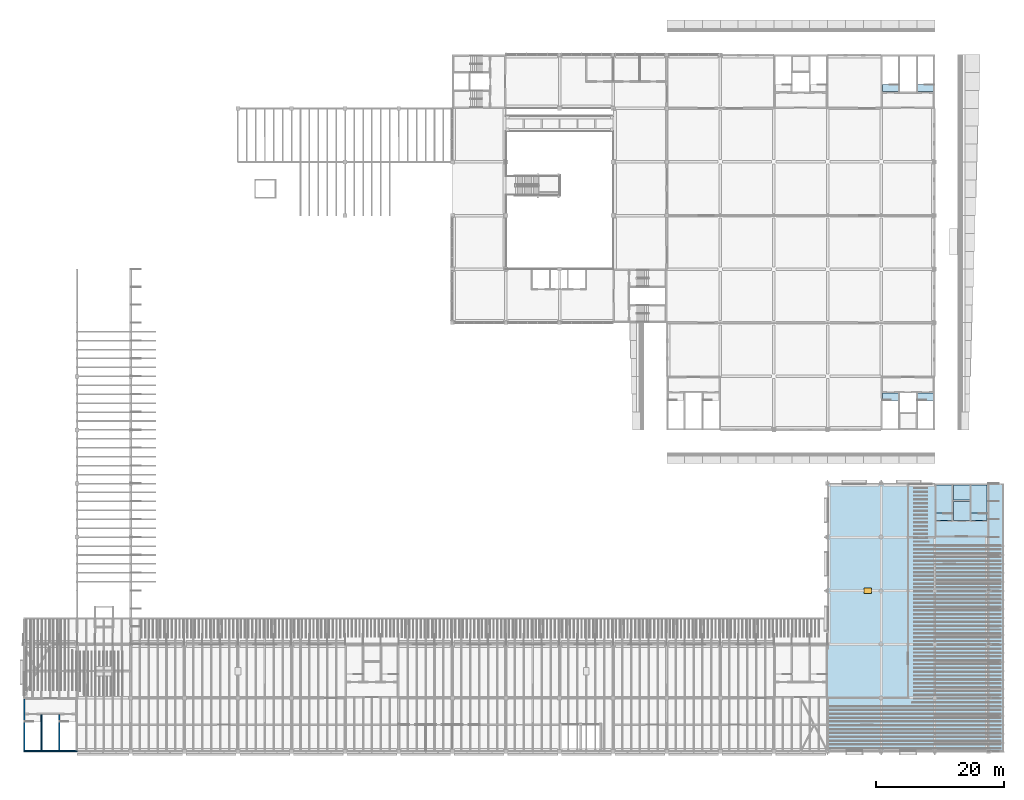
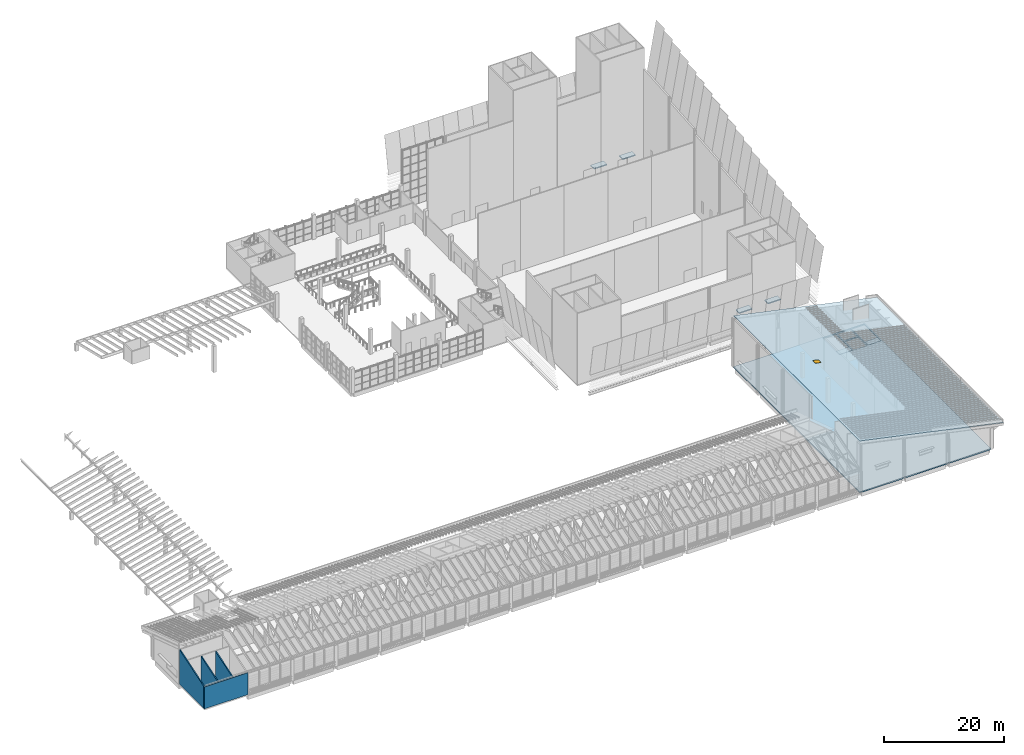
# One storey, part 18 of 59: 8 slabs, 4 walls, 1 door, 1 opening.
"""IFC4 building model written with IfcOpenShell, lengths in metres."""

from ifc_helpers import new_model, si_unit, direction, frame, frame_2d, origin, origin_2d, place, context, subcontext, project, spatial, polyline, rectangle, outline, extrude, material, layer, layer_set, type_object, element, fill, save


model = new_model("IFC4")

# Units and contexts
model_context = context("Model", 3, precision=1e-05, world=origin(), true_north=direction((0.0, 1.0)))
body_context = subcontext(model_context, "Body", "Model", "MODEL_VIEW")
ifc_project = project(units=[si_unit("LENGTHUNIT", "METRE"), si_unit("AREAUNIT", "SQUARE_METRE"), si_unit("VOLUMEUNIT", "CUBIC_METRE"), si_unit("PLANEANGLEUNIT", "RADIAN"), si_unit("MASSUNIT", "GRAM", prefix="KILO")], contexts=[model_context])

# Site, building, storey
site_placement = place(None, origin())
site = spatial("IfcSite", under=ifc_project, at=site_placement, CompositionType="ELEMENT")
building_placement = place(site_placement, origin())
building = spatial("IfcBuilding", under=site, at=building_placement, Name="Almond Square Museum", CompositionType="ELEMENT")
storey_placement = place(building_placement, frame((0.0, 0.0, 25.0)))
storey = spatial("IfcBuildingStorey", under=building, at=storey_placement, Name="L04", CompositionType="ELEMENT", Elevation=25.0)

# Slabs
ifc_material_1 = material(Name="Concrete C40/50", Category="concrete")
ifc_layer_1 = layer(ifc_material_1, 0.199951171875)
ifc_layer_set_1 = layer_set([ifc_layer_1], Name="Concrete C40/50")
slab_type_1 = type_object("IfcSlabType", Name="Concrete stair landing 200", PredefinedType="LANDING", material=ifc_layer_set_1)
slab_1_placement = place(storey_placement, frame((0.0, 0.0, -0.199951171875)))
element("IfcSlab", 1, at=slab_1_placement, inside=storey, type_object=slab_type_1, Name="L04 stair H2-1 floor landing", PredefinedType="LANDING", context=body_context, shape_type="SweptSolid", body=[
    extrude(outline(polyline([(140.60009765625, 55.047119140625), (143.10009765625, 55.047119140625), (143.10009765625, 56.199951171875), (140.60009765625, 56.199951171875), (140.60009765625, 55.047119140625)])), origin(), (0.0, 0.0, 1.0), 0.199951171875),
])
slab_2_placement = place(storey_placement, frame((0.0, 0.0, -0.199951171875)))
element("IfcSlab", 2, at=slab_2_placement, inside=storey, type_object=slab_type_1, Name="L04 stair H2-2 floor landing", PredefinedType="LANDING", context=body_context, shape_type="SweptSolid", body=[
    extrude(outline(polyline([(146.10009765625, 55.047119140625), (148.60009765625, 55.047119140625), (148.60009765625, 56.199951171875), (146.10009765625, 56.199951171875), (146.10009765625, 55.047119140625)])), origin(), (0.0, 0.0, 1.0), 0.199951171875),
])
slab_3_placement = place(storey_placement, frame((0.0, 0.0, -0.199951171875)))
element("IfcSlab", 3, at=slab_3_placement, inside=storey, type_object=slab_type_1, Name="L04 stair H3-1 floor landing", PredefinedType="LANDING", context=body_context, shape_type="SweptSolid", body=[
    extrude(outline(polyline([(140.60009765625, 103.39990234375), (143.10009765625, 103.39990234375), (143.10009765625, 104.552978515625), (140.60009765625, 104.552978515625), (140.60009765625, 103.39990234375)])), origin(), (0.0, 0.0, 1.0), 0.199951171875),
])
slab_4_placement = place(storey_placement, frame((0.0, 0.0, -0.199951171875)))
element("IfcSlab", 4, at=slab_4_placement, inside=storey, type_object=slab_type_1, Name="L04 stair H3-2 floor landing", PredefinedType="LANDING", context=body_context, shape_type="SweptSolid", body=[
    extrude(outline(polyline([(146.10009765625, 103.39990234375), (148.60009765625, 103.39990234375), (148.60009765625, 104.552978515625), (146.10009765625, 104.552978515625), (146.10009765625, 103.39990234375)])), origin(), (0.0, 0.0, 1.0), 0.199951171875),
])
slab_5_placement = place(storey_placement, frame((0.0, 0.0, -0.199951171875)))
element("IfcSlab", 5, at=slab_5_placement, inside=storey, type_object=slab_type_1, Name="L04 stair X1-1 floor landing", PredefinedType="LANDING", context=body_context, shape_type="SweptSolid", body=[
    extrude(outline(polyline([(149.0, 36.199951171875), (151.5, 36.199951171875), (151.5, 37.35302734375), (149.0, 37.35302734375), (149.0, 36.199951171875)])), origin(), (0.0, 0.0, 1.0), 0.199951171875),
])
slab_6_placement = place(storey_placement, frame((0.0, 0.0, -0.199951171875)))
element("IfcSlab", 6, at=slab_6_placement, inside=storey, type_object=slab_type_1, Name="L04 stair X1-2 floor landing", PredefinedType="LANDING", context=body_context, shape_type="SweptSolid", body=[
    extrude(outline(polyline([(154.5, 36.199951171875), (157.0, 36.199951171875), (157.0, 37.35302734375), (154.5, 37.35302734375), (154.5, 36.199951171875)])), origin(), (0.0, 0.0, 1.0), 0.199951171875),
])
ifc_material_2 = material(Name="Concrete C40/50", Category="concrete")
ifc_layer_2 = layer(ifc_material_2, 0.25)
ifc_layer_set_2 = layer_set([ifc_layer_2], Name="Concrete C40/50")
slab_type_2 = type_object("IfcSlabType", Name="RC floor slab 250 C40/50", PredefinedType="FLOOR", material=ifc_layer_set_2)
slab_7_placement = place(storey_placement, frame((0.0, 0.0, -0.25)))
element("IfcSlab", 7, at=slab_7_placement, inside=storey, type_object=slab_type_2, Name="Floor slab L04 V5E", PredefinedType="FLOOR", context=body_context, shape_type="SweptSolid", body=[
    extrude(outline(polyline([(157.199951171875, 0.0), (132.0, 0.0), (132.0, 16.800048828125), (132.0, 42.0), (157.199951171875, 42.0), (157.199951171875, 0.0)]), holes=[polyline([(154.300048828125, 36.199951171875), (154.300048828125, 39.199951171875), (151.699951171875, 39.199951171875), (151.699951171875, 36.199951171875), (154.300048828125, 36.199951171875)]), polyline([(157.0, 36.199951171875), (157.0, 41.800048828125), (154.5, 41.800048828125), (154.5, 36.199951171875), (157.0, 36.199951171875)]), polyline([(151.5, 36.199951171875), (151.5, 41.800048828125), (149.0, 41.800048828125), (149.0, 36.199951171875), (151.5, 36.199951171875)]), polyline([(151.699951171875, 39.39990234375), (154.300048828125, 39.39990234375), (154.300048828125, 41.800048828125), (151.699951171875, 41.800048828125), (151.699951171875, 39.39990234375)])]), origin(), (0.0, 0.0, 1.0), 0.25),
])

# Slab, opening, door
ifc_material_3 = material(Name="Steel S355 deck with zinc standing seam", Category="steel")
ifc_layer_3 = layer(ifc_material_3, 0.10009765625)
ifc_layer_set_3 = layer_set([ifc_layer_3], Name="Steel S355 deck with zinc standing seam")
slab_type_3 = type_object("IfcSlabType", Name="Steel deck standing seam roof 100", PredefinedType="ROOF", material=ifc_layer_set_3)
slab_8_placement = place(storey_placement, frame((132.0, 0.0, 10.3564453125), z_axis=(0.207915670231, 0.0, 0.978146754875), x_axis=(0.978146754875, 0.0, -0.207915670231)))
slab_8 = element("IfcSlab", 8, at=slab_8_placement, inside=storey, type_object=slab_type_3, Name="Roof covering RF-V5E", PredefinedType="ROOF", context=body_context, shape_type="SweptSolid", body=[
    extrude(outline(polyline([(0.0, 0.0), (28.21672465680272, 0.0), (28.21672465680272, 42.0), (0.0, 42.0), (0.0, 0.0)])), origin(), (0.0, 0.0, -1.0), 0.10009765625),
])
opening_placement = place(slab_8_placement, frame((6.44091796875, 25.199951171875, 0.010009765625), z_axis=(0.0, 0.0, -1.0), x_axis=(0.0, 1.0, 0.0)))
opening = element("IfcOpeningElement", 9, at=opening_placement, cuts=slab_8, Name="Opening HT1", PredefinedType="OPENING", context=body_context, shape_type="SweptSolid", body=[
    extrude(rectangle(XDim=0.89990234375, YDim=1.199951171875, at=origin_2d()), origin(), (0.0, 0.0, 1.0), 0.1201171875),
])
ifc_material_4 = material(Name="Insulated aluminium hatch", Category="aluminium")
door_type = type_object("IfcDoorType", Name="Roof access hatch 900 x 1200", OperationType="NOTDEFINED", PredefinedType="TRAPDOOR", material=ifc_material_4)
door_placement = place(opening_placement, frame((0.0, 0.0, 0.010009765625)))
door = element("IfcDoor", 10, at=door_placement, inside=storey, type_object=door_type, Name="Roof hatch 1", OperationType="SINGLE_SWING_LEFT", OverallHeight=1.199951171875, OverallWidth=0.89990234375, PredefinedType="TRAPDOOR", context=body_context, shape_type="SweptSolid", body=[
    extrude(rectangle(XDim=0.89990234375, YDim=1.199951171875, at=origin_2d()), origin(), (0.0, 0.0, 1.0), 0.050048828125),
])
fill(opening, door)

# Walls
ifc_material_5 = material(Name="Concrete C40/50", Category="concrete")
ifc_layer_4 = layer(ifc_material_5, 0.199951171875)
ifc_layer_set_4 = layer_set([ifc_layer_4], Name="Concrete C40/50")
wall_type = type_object("IfcWallType", Name="RC shear wall 200 C40/50", PredefinedType="SHEAR", material=ifc_layer_set_4)
wall_1_placement = place(storey_placement, frame((6.0, 0.10009765625, 0.0), z_axis=(0.0, 0.0, 1.0), x_axis=(1.0, 0.0, 0.0)))
element("IfcWall", 11, at=wall_1_placement, inside=storey, type_object=wall_type, Name="Core S1 south wall L04", PredefinedType="SHEAR", context=body_context, shape_type="SweptSolid", body=[
    extrude(rectangle(XDim=8.39990234375, YDim=0.199951171875, at=frame_2d((4.199951171875, 0.0))), origin(), (0.0, 0.0, 1.0), 4.4326171875),
])
wall_2_placement = place(storey_placement, frame((6.10009765625, 0.199951171875, 0.0), z_axis=(0.0, 0.0, 1.0), x_axis=(0.0, 1.0, 0.0)))
element("IfcWall", 12, at=wall_2_placement, inside=storey, type_object=wall_type, Name="Core S1 west wall L04", PredefinedType="SHEAR", context=body_context, shape_type="SweptSolid", body=[
    extrude(outline(polyline([(0.0, 0.0), (8.0, 0.0), (8.0, 7.06396484375), (7.111083984375, 6.77587890625), (6.814697265625, 6.678955078125), (6.22216796875, 6.487060546875), (5.92578125, 6.389892578125), (5.037109375, 6.10205078125), (4.74072265625, 6.0048828125), (3.851806640625, 5.717041015625), (3.5556640625, 5.6201171875), (2.962890625, 5.427978515625), (2.666748046875, 5.3310546875), (1.77783203125, 5.04296875), (1.4814453125, 4.946044921875), (0.592529296875, 4.657958984375), (0.29638671875, 4.56103515625), (0.0, 4.465087890625), (0.0, 0.0)])), frame((0.0, 0.10009765625, 0.0), z_axis=(0.0, -1.0, 0.0), x_axis=(1.0, 0.0, 0.0)), (0.0, 0.0, 1.0), 0.199951171875),
])
for number, where, z_axis, x_axis, name in (
    (13, (8.800048828125, 0.199951171875, 0.0), (0.0, 0.0, 1.0), (0.0, 1.0, 0.0), "Core S1 partition wall L04"),
    (14, (11.60009765625, 0.199951171875, 0.0), (0.0, 0.0, 1.0), (0.0, 1.0, 0.0), "Core S1 partition wall L04"),
):
    element("IfcWall", number, at=place(storey_placement, frame(where, z_axis=z_axis, x_axis=x_axis)), inside=storey, type_object=wall_type, Name=name, PredefinedType="SHEAR", context=body_context, shape_type="SweptSolid", body=[
        extrude(outline(polyline([(0.0, 0.0), (5.60009765625, 0.0), (5.60009765625, 6.284912109375), (4.421142578125, 5.90087890625), (4.126220703125, 5.805908203125), (3.2421875, 5.51806640625), (2.947509765625, 5.423095703125), (2.063232421875, 5.135009765625), (1.768310546875, 5.0400390625), (0.88427734375, 4.751953125), (0.589599609375, 4.656982421875), (0.0, 4.465087890625), (0.0, 0.0)])), frame((0.0, 0.10009765625, 0.0), z_axis=(0.0, -1.0, 0.0), x_axis=(1.0, 0.0, 0.0)), (0.0, 0.0, 1.0), 0.199951171875),
    ])

save(model, "model.ifc")
